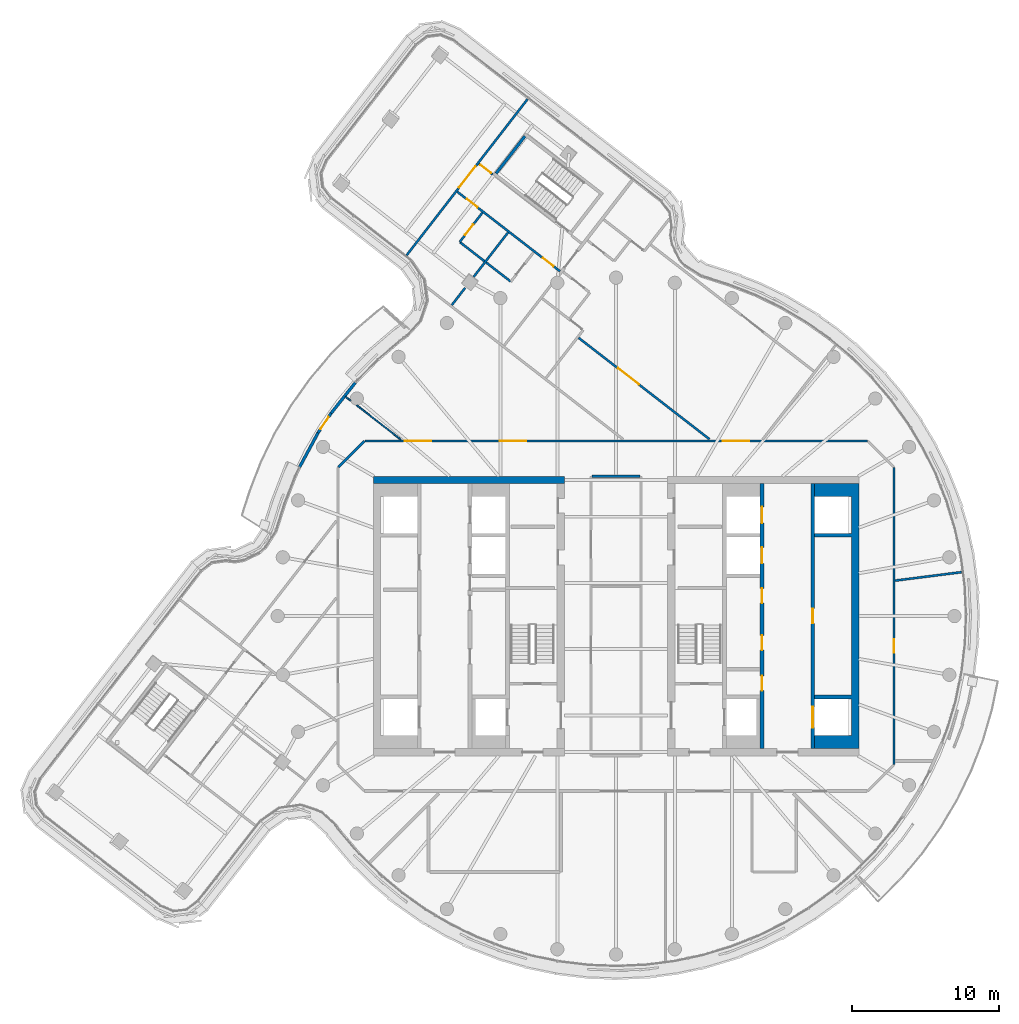
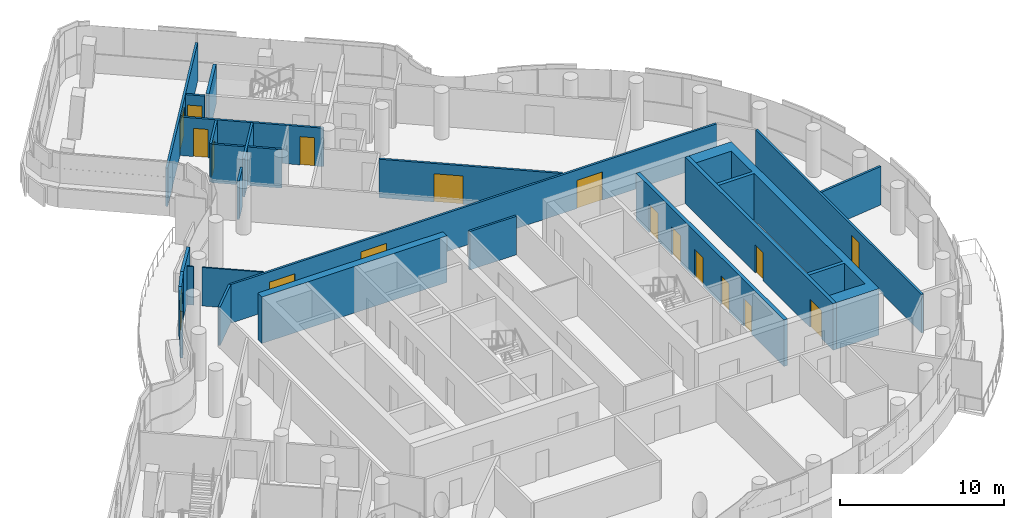
# One storey, part 19 of 26: 23 walls, 18 doors, 18 openings.
"""IFC4 building model written with IfcOpenShell, lengths in metres."""

import ifcopenshell
import ifcopenshell.guid

model = None  # the IFC model being written
_history = None  # IfcOwnerHistory: only IFC2X3 demands one
_inside = {}  # id of a spatial element -> (the spatial element, [elements in it])
_under = {}  # id of a project, library or spatial element -> (it, [spatial elements below it])
_declared = {}  # id of a project -> (the project, [libraries it declares])
_typed = {}  # id of a type object -> (the type object, [elements of that type])
_made_of = {}  # id of a material, layer set ... -> (it, [elements and type objects made of it])


def new_model(schema):
    """Start an empty IFC model of exactly this schema.

    Asked for "IFC4X3", IfcOpenShell would pick the latest addendum, in which some entities
    have other attributes; the version numbers below select the first issue.
    IFC2X3 requires an IfcOwnerHistory on every rooted entity: one is made here for all.
    """
    global model, _history
    if schema == "IFC4X3":
        model = ifcopenshell.file(schema_version=(4, 3, 0, 0))
    else:
        model = ifcopenshell.file(schema=schema)
    _inside.clear()
    _under.clear()
    _declared.clear()
    _typed.clear()
    _made_of.clear()
    _history = None
    if model.schema == "IFC2X3":
        org = make("IfcOrganization", Name="unknown")
        user = make(
            "IfcPersonAndOrganization",
            ThePerson=make("IfcPerson", FamilyName="unknown"),
            TheOrganization=org,
        )
        app = make(
            "IfcApplication",
            ApplicationDeveloper=org,
            Version="unknown",
            ApplicationFullName="unknown",
            ApplicationIdentifier="unknown",
        )
        _history = make(
            "IfcOwnerHistory",
            OwningUser=user,
            OwningApplication=app,
            ChangeAction="ADDED",
            CreationDate=0,
        )
    return model


def make(cls, **values):
    """One entity of the class cls with the attributes given. An attribute that is None is left unset."""
    return model.create_entity(
        cls, **{name: value for name, value in values.items() if value is not None}
    )


def rooted(cls, **values):
    """An entity with a GlobalId (a new one), such as an element, a storey or a relation."""
    return make(cls, GlobalId=ifcopenshell.guid.new(), OwnerHistory=_history, **values)


def si_unit(unit_type, name, prefix=None):
    """IfcSIUnit, for example si_unit("LENGTHUNIT", "METRE", prefix="MILLI")."""
    return make("IfcSIUnit", UnitType=unit_type, Prefix=prefix, Name=name)


def assignment(units):
    """IfcUnitAssignment: the units of a project."""
    return None if units is None else make("IfcUnitAssignment", Units=units)


def point(xyz):
    """IfcCartesianPoint."""
    return None if xyz is None else make("IfcCartesianPoint", Coordinates=xyz)


def direction(xyz):
    """IfcDirection."""
    return None if xyz is None else make("IfcDirection", DirectionRatios=xyz)


def frame(location, z_axis=None, x_axis=None):
    """IfcAxis2Placement3D, a coordinate frame: its origin and axes. An axis left out is left unset."""
    return make(
        "IfcAxis2Placement3D",
        Location=point(location),
        Axis=direction(z_axis),
        RefDirection=direction(x_axis),
    )


def frame_2d(location, x_axis=None):
    """IfcAxis2Placement2D, a coordinate frame in the plane: its origin and x axis."""
    return make(
        "IfcAxis2Placement2D", Location=point(location), RefDirection=direction(x_axis)
    )


def origin():
    """The frame at (0, 0, 0) with its axes left unset."""
    return frame((0.0, 0.0, 0.0))


def place(relative_to, where):
    """IfcLocalPlacement: puts the frame where relative to a parent placement (None: the world)."""
    return make(
        "IfcLocalPlacement", PlacementRelTo=relative_to, RelativePlacement=where
    )


def context(
    kind, dimensions, precision=None, world=None, true_north=None, identifier=None
):
    """IfcGeometricRepresentationContext, for example the 3D "Model" context."""
    return make(
        "IfcGeometricRepresentationContext",
        ContextIdentifier=identifier,
        ContextType=kind,
        CoordinateSpaceDimension=dimensions,
        Precision=precision,
        WorldCoordinateSystem=world,
        TrueNorth=true_north,
    )


def subcontext(parent, identifier, kind, view, scale=None):
    """IfcGeometricRepresentationSubContext, for example "Body" below "Model"."""
    return make(
        "IfcGeometricRepresentationSubContext",
        ContextIdentifier=identifier,
        ContextType=kind,
        ParentContext=parent,
        TargetScale=scale,
        TargetView=view,
    )


def project(units=None, contexts=None):
    """IfcProject with its units and contexts."""
    return rooted(
        "IfcProject",
        Name="project",
        RepresentationContexts=contexts,
        UnitsInContext=assignment(units),
    )


def spatial(cls, under=None, at=None, **own):
    """A site, building, storey or space (cls), placed at a placement, below another one or the project."""
    s = rooted(cls, ObjectPlacement=at, **own)
    if under is not None:
        _under.setdefault(under.id(), (under, []))[1].append(s)
    return s


def polyline(points):
    """IfcPolyline through the points."""
    return make("IfcPolyline", Points=[point(p) for p in points])


def profile(cls, at=None, kind="AREA", **sizes):
    """A parametric profile (cls). Its sizes go by their IFC names, for example OverallWidth=200.0."""
    return make(cls, ProfileType=kind, Position=at, **sizes)


def rectangle(**sizes):
    """IfcRectangleProfileDef."""
    return profile("IfcRectangleProfileDef", **sizes)


def outline(outer, holes=None, kind="AREA"):
    """IfcArbitraryClosedProfileDef: a profile drawn as a closed curve; with holes, ...WithVoids."""
    if holes is None:
        return make("IfcArbitraryClosedProfileDef", ProfileType=kind, OuterCurve=outer)
    return make(
        "IfcArbitraryProfileDefWithVoids",
        ProfileType=kind,
        OuterCurve=outer,
        InnerCurves=holes,
    )


def extrude(swept, where, along, depth):
    """IfcExtrudedAreaSolid: the profile swept, set in the frame where, extruded along a direction by depth."""
    return make(
        "IfcExtrudedAreaSolid",
        SweptArea=swept,
        Position=where,
        ExtrudedDirection=direction(along),
        Depth=depth,
    )


def shape(context_of_items, identifier, shape_type, items):
    """IfcShapeRepresentation: the items that make up one representation, for example the "Body"."""
    return make(
        "IfcShapeRepresentation",
        ContextOfItems=context_of_items,
        RepresentationIdentifier=identifier,
        RepresentationType=shape_type,
        Items=items,
    )


def material(Name=None, Category=None):
    """IfcMaterial."""
    return make("IfcMaterial", Name=Name, Category=Category)


def layer(
    of_material, thickness, ventilated=None, Name=None, Category=None, Priority=None
):
    """IfcMaterialLayer: one layer of a wall or slab, of a material (None: an air gap)."""
    return make(
        "IfcMaterialLayer",
        Material=of_material,
        LayerThickness=thickness,
        IsVentilated=ventilated,
        Name=Name,
        Category=Category,
        Priority=Priority,
    )


def layer_set(layers, Name=None):
    """IfcMaterialLayerSet."""
    return make("IfcMaterialLayerSet", MaterialLayers=layers, LayerSetName=Name)


def made_of(thing, what):
    """Note that an element or type object is made of a material, layer set ...; save() writes the relation."""
    if what is not None:
        _made_of.setdefault(what.id(), (what, []))[1].append(thing)
    return thing


def type_object(cls, material=None, **own):
    """A type object (cls), such as IfcWallType, which elements share."""
    return made_of(rooted(cls, **own), material)


def element(
    cls,
    number,
    at=None,
    inside=None,
    cuts=None,
    type_object=None,
    material=None,
    context=None,
    identifier="Body",
    shape_type=None,
    held_by="IfcProductDefinitionShape",
    body=None,
    shapes=None,
    **own,
):
    """One element of the class cls, such as IfcWall. Its Tag is "e" and its number.

    at: its placement. inside: the storey or other place that contains it. cuts: it is an
    opening in that element (IfcRelVoidsElement). A single representation is given by context,
    identifier, shape_type and body (its items); several are given by shapes. held_by: the class
    of the entity that holds the representations. save() writes the other relations.
    """
    e = rooted(cls, Tag="e%d" % number, ObjectPlacement=at, **own)
    if body is not None:
        shapes = [shape(context, identifier, shape_type, body)]
    if shapes is not None:
        e.Representation = make(held_by, Representations=shapes)
    if inside is not None:
        _inside.setdefault(inside.id(), (inside, []))[1].append(e)
    if cuts is not None:
        rooted(
            "IfcRelVoidsElement", RelatingBuildingElement=cuts, RelatedOpeningElement=e
        )
    if type_object is not None:
        _typed.setdefault(type_object.id(), (type_object, []))[1].append(e)
    return made_of(e, material)


def fill(opening, filler):
    """IfcRelFillsElement: the door or window that sits in an opening."""
    return rooted(
        "IfcRelFillsElement",
        RelatingOpeningElement=opening,
        RelatedBuildingElement=filler,
    )


def aggregate(whole, parts):
    """IfcRelAggregates: a whole, such as a stair, and the parts it consists of."""
    return rooted("IfcRelAggregates", RelatingObject=whole, RelatedObjects=parts)


def save(model, path):
    """Write the relations noted so far, then the file.

    IfcRelAggregates (storeys below a building ...), IfcRelContainedInSpatialStructure (elements
    in a storey), IfcRelDefinesByType, IfcRelAssociatesMaterial and IfcRelDeclares: one each for
    every whole, place, type object, material and project.
    """
    for whole, parts in _under.values():
        aggregate(whole, parts)
    for where, things in _inside.values():
        rooted(
            "IfcRelContainedInSpatialStructure",
            RelatedElements=things,
            RelatingStructure=where,
        )
    for kind, things in _typed.values():
        rooted("IfcRelDefinesByType", RelatedObjects=things, RelatingType=kind)
    for what, things in _made_of.values():
        rooted("IfcRelAssociatesMaterial", RelatedObjects=things, RelatingMaterial=what)
    for by, libraries in _declared.values():
        rooted("IfcRelDeclares", RelatingContext=by, RelatedDefinitions=libraries)
    model.write(path)


model = new_model("IFC4")

# Units and contexts
model_context = context("Model", 3, precision=1e-05, world=origin(), true_north=direction((0.0, 1.0)))
body_context = subcontext(model_context, "Body", "Model", "MODEL_VIEW")
ifc_project = project(units=[si_unit("LENGTHUNIT", "METRE"), si_unit("AREAUNIT", "SQUARE_METRE"), si_unit("VOLUMEUNIT", "CUBIC_METRE"), si_unit("PLANEANGLEUNIT", "RADIAN"), si_unit("MASSUNIT", "GRAM", prefix="KILO")], contexts=[model_context])

# Site, building, storey
site_placement = place(None, origin())
site = spatial("IfcSite", under=ifc_project, at=site_placement, CompositionType="ELEMENT")
building_placement = place(site_placement, origin())
building = spatial("IfcBuilding", under=site, at=building_placement, Name="Tamarind Cross Interchange Tower", CompositionType="ELEMENT")
storey_placement = place(building_placement, frame((0.0, 0.0, 223.5)))
storey = spatial("IfcBuildingStorey", under=building, at=storey_placement, Name="L56", CompositionType="ELEMENT", Elevation=223.5)

# Walls
ifc_material_1 = material(Name="Concrete C40", Category="concrete")
ifc_layer_1 = layer(ifc_material_1, 0.199951171875)
ifc_layer_set_1 = layer_set([ifc_layer_1], Name="Concrete C40")
wall_type_1 = type_object("IfcWallType", Name="Balcony and garden door wall", PredefinedType="SOLIDWALL", material=ifc_layer_set_1)
for number, where, z_axis, x_axis, name in (
    (1, (-17.724365234375, 15.86474609375, 0.0), (0.0, 0.0, 1.0), (-0.620856316698, -0.783924380292, 0.0), "EXW-L56-06-D02L"),
    (2, (-20.255615234375, 12.45654296875, 0.0), (0.0, 0.0, 1.0), (-0.474747988303, -0.880121779984, 0.0), "EXW-L56-06-D02R"),
):
    element("IfcWall", number, at=place(storey_placement, frame(where, z_axis=z_axis, x_axis=x_axis)), inside=storey, type_object=wall_type_1, Name=name, PredefinedType="SOLIDWALL", context=body_context, shape_type="SweptSolid", body=[
        extrude(rectangle(XDim=2.64990234375, YDim=0.199951171875, at=frame_2d((1.324951171875, 0.0))), origin(), (0.0, 0.0, 1.0), 3.4599609375),
    ])

# Wall, opening, door
wall_1_placement = place(storey_placement, frame((-19.36962890625, 13.787353515625, 0.0), z_axis=(0.0, 0.0, 1.0), x_axis=(-0.554171485248, -0.832402525788, 0.0)))
wall_1 = element("IfcWall", 3, at=wall_1_placement, inside=storey, type_object=wall_type_1, Name="EXW-L56-06-D02", PredefinedType="SOLIDWALL", context=body_context, shape_type="SweptSolid", body=[
    extrude(rectangle(XDim=1.598876953125, YDim=0.199951171875, at=frame_2d((0.79931640625, 0.0))), origin(), (0.0, 0.0, 1.0), 3.4599609375),
])
opening_1_placement = place(wall_1_placement, frame((0.29931640625, 0.0, 0.0)))
opening_1 = element("IfcOpeningElement", 4, at=opening_1_placement, cuts=wall_1, Name="Opening D2", PredefinedType="OPENING", context=body_context, shape_type="SweptSolid", body=[
    extrude(rectangle(XDim=1.0, YDim=2.39990234375, at=frame_2d((0.5, 1.199951171875))), frame((0.0, 0.10986328125, 0.0), z_axis=(0.0, -1.0, 0.0), x_axis=(1.0, 0.0, 0.0)), (0.0, 0.0, 1.0), 0.219970703125),
])
ifc_material_2 = material(Name="Aluminium and toughened glass", Category="aluminium")
door_type_1 = type_object("IfcDoorType", Name="Balcony and garden door", OperationType="SINGLE_SWING_LEFT", PredefinedType="DOOR", material=ifc_material_2)
door_1_placement = place(opening_1_placement, origin())
door_1 = element("IfcDoor", 5, at=door_1_placement, inside=storey, type_object=door_type_1, Name="DOR-L56-06-02", OperationType="SINGLE_SWING_LEFT", OverallHeight=2.39990234375, OverallWidth=1.0, PredefinedType="DOOR", context=body_context, shape_type="SweptSolid", body=[
    extrude(rectangle(XDim=1.0, YDim=2.39990234375, at=frame_2d((0.5, 1.199951171875))), frame((0.0, 0.02490234375, 0.0), z_axis=(0.0, -1.0, 0.0), x_axis=(1.0, 0.0, 0.0)), (0.0, 0.0, 1.0), 0.050048828125),
])
fill(opening_1, door_1)

# Walls
ifc_material_3 = material(Name="Concrete C50", Category="concrete")
ifc_layer_2 = layer(ifc_material_3, 0.5)
ifc_layer_set_2 = layer_set([ifc_layer_2], Name="Concrete C50")
wall_type_2 = type_object("IfcWallType", Name="Core wall 500 mm Concrete C50", PredefinedType="SHEAR", material=ifc_layer_set_2)
wall_2_placement = place(storey_placement, frame((-16.5, 9.25, 0.0), z_axis=(0.0, 0.0, 1.0), x_axis=(1.0, 0.0, 0.0)))
element("IfcWall", 6, at=wall_2_placement, inside=storey, type_object=wall_type_2, Name="Core wall CWL-L56-W-NE", PredefinedType="SHEAR", context=body_context, shape_type="SweptSolid", body=[
    extrude(rectangle(XDim=13.0, YDim=0.5, at=frame_2d((6.5, 0.0))), origin(), (0.0, 0.0, 1.0), 3.4599609375),
])
wall_3_placement = place(storey_placement, origin())
element("IfcWall", 7, at=wall_3_placement, inside=storey, type_object=wall_type_2, Name="Core wall CWL-L56-E-A", PredefinedType="SHEAR", context=body_context, shape_type="SweptSolid", body=[
    extrude(outline(polyline([(13.5, -8.125), (13.5, -9.0), (16.0, -9.0), (16.5, -9.0), (16.5, 9.0), (16.0, 9.0), (13.5, 9.0), (13.5, 8.125), (16.0, 8.125), (16.0, 5.625), (13.5, 5.625), (13.5, 5.375), (16.0, 5.375), (16.0, -5.375), (13.5, -5.375), (13.5, -5.625), (16.0, -5.625), (16.0, -8.125), (13.5, -8.125)])), origin(), (0.0, 0.0, 1.0), 3.4599609375),
])

# Wall, openings, doors
ifc_layer_3 = layer(ifc_material_3, 0.25)
ifc_layer_set_3 = layer_set([ifc_layer_3], Name="Concrete C50")
wall_type_3 = type_object("IfcWallType", Name="Core web wall 250 mm Concrete C50", PredefinedType="SHEAR", material=ifc_layer_set_3)
wall_4_placement = place(storey_placement, frame((13.375, -9.0, 0.0), z_axis=(0.0, 0.0, 1.0), x_axis=(0.0, 1.0, 0.0)))
wall_4 = element("IfcWall", 8, at=wall_4_placement, inside=storey, type_object=wall_type_3, Name="Core wall CWL-L56-E-LA", PredefinedType="SHEAR", context=body_context, shape_type="SweptSolid", body=[
    extrude(rectangle(XDim=18.0, YDim=0.25, at=frame_2d((9.0, 0.0))), origin(), (0.0, 0.0, 1.0), 3.4599609375),
])
opening_2_placement = place(wall_4_placement, frame((1.425048828125, 0.0, 0.0)))
opening_2 = element("IfcOpeningElement", 9, at=opening_2_placement, cuts=wall_4, Name="Opening LD13L56", PredefinedType="OPENING", context=body_context, shape_type="SweptSolid", body=[
    extrude(rectangle(XDim=1.39990234375, YDim=2.10009765625, at=frame_2d((0.699951171875, 1.050048828125))), frame((0.0, 0.135009765625, 0.0), z_axis=(0.0, -1.0, 0.0), x_axis=(1.0, 0.0, 0.0)), (0.0, 0.0, 1.0), 0.27001953125),
])
opening_3_placement = place(wall_4_placement, frame((8.5, 0.0, 0.0)))
opening_3 = element("IfcOpeningElement", 10, at=opening_3_placement, cuts=wall_4, Name="Opening DCE9", PredefinedType="OPENING", context=body_context, shape_type="SweptSolid", body=[
    extrude(rectangle(XDim=1.0, YDim=2.10009765625, at=frame_2d((0.5, 1.050048828125))), frame((0.0, 0.135009765625, 0.0), z_axis=(0.0, -1.0, 0.0), x_axis=(1.0, 0.0, 0.0)), (0.0, 0.0, 1.0), 0.27001953125),
])
ifc_material_4 = material(Name="Steel, fire-resisting", Category="steel")
door_type_2 = type_object("IfcDoorType", Name="Core fire door 1000 x 2100 FD90", OperationType="SINGLE_SWING_LEFT", PredefinedType="DOOR", material=ifc_material_4)
door_2_placement = place(opening_3_placement, origin())
door_2 = element("IfcDoor", 11, at=door_2_placement, inside=storey, type_object=door_type_2, Name="L56 Housekeeping pantry door", OperationType="SINGLE_SWING_LEFT", OverallHeight=2.10009765625, OverallWidth=1.0, PredefinedType="DOOR", context=body_context, shape_type="SweptSolid", body=[
    extrude(rectangle(XDim=1.0, YDim=2.10009765625, at=frame_2d((0.5, 1.050048828125))), frame((0.0, 0.02490234375, 0.0), z_axis=(0.0, -1.0, 0.0), x_axis=(1.0, 0.0, 0.0)), (0.0, 0.0, 1.0), 0.050048828125),
])
fill(opening_3, door_2)
ifc_material_5 = material(Name="Stainless steel panel", Category="steel")
door_type_3 = type_object("IfcDoorType", Name="Lift landing door 1400 x 2100 E 120", OperationType="SLIDING_TO_LEFT", PredefinedType="DOOR", material=ifc_material_5)
door_3_placement = place(opening_2_placement, origin())
door_3 = element("IfcDoor", 12, at=door_3_placement, inside=storey, type_object=door_type_3, Name="L56 landing door LF13", OperationType="SLIDING_TO_LEFT", OverallHeight=2.10009765625, OverallWidth=1.39990234375, PredefinedType="DOOR", context=body_context, shape_type="SweptSolid", body=[
    extrude(rectangle(XDim=1.39990234375, YDim=2.10009765625, at=frame_2d((0.699951171875, 1.050048828125))), frame((0.0, 0.02490234375, 0.0), z_axis=(0.0, -1.0, 0.0), x_axis=(1.0, 0.0, 0.0)), (0.0, 0.0, 1.0), 0.050048828125),
])
fill(opening_2, door_3)

wall_5_placement = place(storey_placement, frame((9.925048828125, -9.0, 0.0), z_axis=(0.0, 0.0, 1.0), x_axis=(0.0, 1.0, 0.0)))
wall_5 = element("IfcWall", 13, at=wall_5_placement, inside=storey, type_object=wall_type_3, Name="Core wall CWL-L56-E-LB", PredefinedType="SHEAR", context=body_context, shape_type="SweptSolid", body=[
    extrude(rectangle(XDim=18.0, YDim=0.25, at=frame_2d((9.0, 0.0))), origin(), (0.0, 0.0, 1.0), 3.4599609375),
])
opening_4_placement = place(wall_5_placement, frame((12.574951171875, 0.0, 0.0)))
opening_4 = element("IfcOpeningElement", 14, at=opening_4_placement, cuts=wall_5, Name="Opening LD23L56", PredefinedType="OPENING", context=body_context, shape_type="SweptSolid", body=[
    extrude(rectangle(XDim=1.10009765625, YDim=2.10009765625, at=frame_2d((0.550048828125, 1.050048828125))), frame((0.0, 0.135009765625, 0.0), z_axis=(0.0, -1.0, 0.0), x_axis=(1.0, 0.0, 0.0)), (0.0, 0.0, 1.0), 0.27001953125),
])
opening_5_placement = place(wall_5_placement, frame((15.324951171875, 0.0, 0.0)))
opening_5 = element("IfcOpeningElement", 15, at=opening_5_placement, cuts=wall_5, Name="Opening LD24L56", PredefinedType="OPENING", context=body_context, shape_type="SweptSolid", body=[
    extrude(rectangle(XDim=1.10009765625, YDim=2.10009765625, at=frame_2d((0.550048828125, 1.050048828125))), frame((0.0, 0.135009765625, 0.0), z_axis=(0.0, -1.0, 0.0), x_axis=(1.0, 0.0, 0.0)), (0.0, 0.0, 1.0), 0.27001953125),
])
opening_6_placement = place(wall_5_placement, frame((3.9375, 0.0, 0.0)))
opening_6 = element("IfcOpeningElement", 16, at=opening_6_placement, cuts=wall_5, Name="Opening DCE21", PredefinedType="OPENING", context=body_context, shape_type="SweptSolid", body=[
    extrude(rectangle(XDim=1.0, YDim=2.10009765625, at=frame_2d((0.5, 1.050048828125))), frame((0.0, 0.135009765625, 0.0), z_axis=(0.0, -1.0, 0.0), x_axis=(1.0, 0.0, 0.0)), (0.0, 0.0, 1.0), 0.27001953125),
])
opening_7_placement = place(wall_5_placement, frame((6.6875, 0.0, 0.0)))
opening_7 = element("IfcOpeningElement", 17, at=opening_7_placement, cuts=wall_5, Name="Opening DCE22", PredefinedType="OPENING", context=body_context, shape_type="SweptSolid", body=[
    extrude(rectangle(XDim=1.0, YDim=2.10009765625, at=frame_2d((0.5, 1.050048828125))), frame((0.0, 0.135009765625, 0.0), z_axis=(0.0, -1.0, 0.0), x_axis=(1.0, 0.0, 0.0)), (0.0, 0.0, 1.0), 0.27001953125),
])
opening_8_placement = place(wall_5_placement, frame((9.875, 0.0, 0.0)))
opening_8 = element("IfcOpeningElement", 18, at=opening_8_placement, cuts=wall_5, Name="Opening DCE21", PredefinedType="OPENING", context=body_context, shape_type="SweptSolid", body=[
    extrude(rectangle(XDim=1.0, YDim=2.10009765625, at=frame_2d((0.5, 1.050048828125))), frame((0.0, 0.135009765625, 0.0), z_axis=(0.0, -1.0, 0.0), x_axis=(1.0, 0.0, 0.0)), (0.0, 0.0, 1.0), 0.27001953125),
])
door_4_placement = place(opening_6_placement, origin())
door_4 = element("IfcDoor", 19, at=door_4_placement, inside=storey, type_object=door_type_2, Name="L56 Linen press door", OperationType="SINGLE_SWING_LEFT", OverallHeight=2.10009765625, OverallWidth=1.0, PredefinedType="DOOR", context=body_context, shape_type="SweptSolid", body=[
    extrude(rectangle(XDim=1.0, YDim=2.10009765625, at=frame_2d((0.5, 1.050048828125))), frame((0.0, 0.02490234375, 0.0), z_axis=(0.0, -1.0, 0.0), x_axis=(1.0, 0.0, 0.0)), (0.0, 0.0, 1.0), 0.050048828125),
])
fill(opening_6, door_4)
door_5_placement = place(opening_7_placement, origin())
door_5 = element("IfcDoor", 20, at=door_5_placement, inside=storey, type_object=door_type_2, Name="L56 Hotel pantry door", OperationType="SINGLE_SWING_LEFT", OverallHeight=2.10009765625, OverallWidth=1.0, PredefinedType="DOOR", context=body_context, shape_type="SweptSolid", body=[
    extrude(rectangle(XDim=1.0, YDim=2.10009765625, at=frame_2d((0.5, 1.050048828125))), frame((0.0, 0.02490234375, 0.0), z_axis=(0.0, -1.0, 0.0), x_axis=(1.0, 0.0, 0.0)), (0.0, 0.0, 1.0), 0.050048828125),
])
fill(opening_7, door_5)
door_6_placement = place(opening_8_placement, origin())
door_6 = element("IfcDoor", 21, at=door_6_placement, inside=storey, type_object=door_type_2, Name="L56 Linen press door", OperationType="SINGLE_SWING_LEFT", OverallHeight=2.10009765625, OverallWidth=1.0, PredefinedType="DOOR", context=body_context, shape_type="SweptSolid", body=[
    extrude(rectangle(XDim=1.0, YDim=2.10009765625, at=frame_2d((0.5, 1.050048828125))), frame((0.0, 0.02490234375, 0.0), z_axis=(0.0, -1.0, 0.0), x_axis=(1.0, 0.0, 0.0)), (0.0, 0.0, 1.0), 0.050048828125),
])
fill(opening_8, door_6)
door_type_4 = type_object("IfcDoorType", Name="Lift landing door 1100 x 2100 E 120", OperationType="SLIDING_TO_LEFT", PredefinedType="DOOR", material=ifc_material_5)
door_7_placement = place(opening_4_placement, origin())
door_7 = element("IfcDoor", 22, at=door_7_placement, inside=storey, type_object=door_type_4, Name="L56 landing door LF23", OperationType="SLIDING_TO_LEFT", OverallHeight=2.10009765625, OverallWidth=1.10009765625, PredefinedType="DOOR", context=body_context, shape_type="SweptSolid", body=[
    extrude(rectangle(XDim=1.10009765625, YDim=2.10009765625, at=frame_2d((0.550048828125, 1.050048828125))), frame((0.0, 0.02490234375, 0.0), z_axis=(0.0, -1.0, 0.0), x_axis=(1.0, 0.0, 0.0)), (0.0, 0.0, 1.0), 0.050048828125),
])
fill(opening_4, door_7)
door_8_placement = place(opening_5_placement, origin())
door_8 = element("IfcDoor", 23, at=door_8_placement, inside=storey, type_object=door_type_4, Name="L56 landing door LF24", OperationType="SLIDING_TO_LEFT", OverallHeight=2.10009765625, OverallWidth=1.10009765625, PredefinedType="DOOR", context=body_context, shape_type="SweptSolid", body=[
    extrude(rectangle(XDim=1.10009765625, YDim=2.10009765625, at=frame_2d((0.550048828125, 1.050048828125))), frame((0.0, 0.02490234375, 0.0), z_axis=(0.0, -1.0, 0.0), x_axis=(1.0, 0.0, 0.0)), (0.0, 0.0, 1.0), 0.050048828125),
])
fill(opening_5, door_8)

# Walls
ifc_material_6 = material(Name="Gypsum board partition on steel studs", Category="steel")
ifc_layer_4 = layer(ifc_material_6, 0.10009765625)
ifc_layer_set_4 = layer_set([ifc_layer_4], Name="Gypsum board partition on steel studs")
wall_type_4 = type_object("IfcWallType", Name="Partition 100 mm EI 120", PredefinedType="PARTITIONING", material=ifc_layer_set_4)
wall_6_placement = place(storey_placement, frame((-17.636474609375, 14.328857421875, 0.0), z_axis=(0.0, 0.0, 1.0), x_axis=(0.790578641308, -0.612360524452, 0.0)))
element("IfcWall", 24, at=wall_6_placement, inside=storey, type_object=wall_type_4, Name="Partition L56-011", PredefinedType="PARTITIONING", context=body_context, shape_type="SweptSolid", body=[
    extrude(rectangle(XDim=3.81103515625, YDim=0.10009765625, at=frame_2d((1.905517578125, 0.0))), origin(), (0.0, 0.0, 1.0), 2.864013671875),
])
ifc_layer_5 = layer(ifc_material_6, 0.10009765625)
ifc_layer_set_5 = layer_set([ifc_layer_5], Name="Gypsum board partition on steel studs")
wall_type_5 = type_object("IfcWallType", Name="Partition 100 mm EI 90", PredefinedType="PARTITIONING", material=ifc_layer_set_5)
wall_7_placement = place(storey_placement, frame((-18.39111328125, 14.913330078125, 0.0), z_axis=(0.0, 0.0, 1.0), x_axis=(0.79050846248, -0.612451117026, 0.0)))
element("IfcWall", 25, at=wall_7_placement, inside=storey, type_object=wall_type_5, Name="Partition L56-010", PredefinedType="PARTITIONING", context=body_context, shape_type="SweptSolid", body=[
    extrude(rectangle(XDim=0.44287109375, YDim=0.10009765625, at=frame_2d((0.221435546875, 0.0))), origin(), (0.0, 0.0, 1.0), 2.864013671875),
])

# Wall, openings, doors
ifc_layer_6 = layer(ifc_material_6, 0.14990234375)
ifc_layer_set_6 = layer_set([ifc_layer_6], Name="Gypsum board partition on steel studs")
wall_type_6 = type_object("IfcWallType", Name="Partition 150 mm EI 120", PredefinedType="PARTITIONING", material=ifc_layer_set_6)
wall_8_placement = place(storey_placement, frame((-10.790771484375, 28.840087890625, 0.0), z_axis=(0.0, 0.0, 1.0), x_axis=(0.790613040496, -0.612316111333, 0.0)))
wall_8 = element("IfcWall", 26, at=wall_8_placement, inside=storey, type_object=wall_type_6, Name="Partition L56-013", PredefinedType="PARTITIONING", context=body_context, shape_type="SweptSolid", body=[
    extrude(rectangle(XDim=8.819580078125, YDim=0.14990234375, at=frame_2d((4.40966796875, 0.0))), origin(), (0.0, 0.0, 1.0), 2.864013671875),
])
opening_9_placement = place(wall_8_placement, frame((7.36962890625, 0.0, 0.0)))
opening_9 = element("IfcOpeningElement", 27, at=opening_9_placement, cuts=wall_8, Name="Opening D03", PredefinedType="OPENING", context=body_context, shape_type="SweptSolid", body=[
    extrude(rectangle(XDim=0.89990234375, YDim=2.10009765625, at=frame_2d((0.449951171875, 1.050048828125))), frame((0.0, 0.0849609375, 0.0), z_axis=(0.0, -1.0, 0.0), x_axis=(1.0, 0.0, 0.0)), (0.0, 0.0, 1.0), 0.169921875),
])
opening_10_placement = place(wall_8_placement, frame((0.820068359375, 0.0, 0.0)))
opening_10 = element("IfcOpeningElement", 28, at=opening_10_placement, cuts=wall_8, Name="Opening D04", PredefinedType="OPENING", context=body_context, shape_type="SweptSolid", body=[
    extrude(rectangle(XDim=0.89990234375, YDim=2.10009765625, at=frame_2d((0.449951171875, 1.050048828125))), frame((0.0, 0.0849609375, 0.0), z_axis=(0.0, -1.0, 0.0), x_axis=(1.0, 0.0, 0.0)), (0.0, 0.0, 1.0), 0.169921875),
])
ifc_material_7 = material(Name="Fire-resisting door set")
door_type_5 = type_object("IfcDoorType", Name="Interior door 900 x 2100 FD60S", OperationType="SINGLE_SWING_LEFT", PredefinedType="DOOR", material=ifc_material_7)
door_9_placement = place(opening_9_placement, frame((0.89990234375, 0.0, 0.0), z_axis=(0.0, 0.0, 1.0), x_axis=(-1.0, 0.0, 0.0)))
door_9 = element("IfcDoor", 29, at=door_9_placement, inside=storey, type_object=door_type_5, Name="Door D03", OperationType="SINGLE_SWING_RIGHT", OverallHeight=2.10009765625, OverallWidth=0.89990234375, PredefinedType="DOOR", context=body_context, shape_type="SweptSolid", body=[
    extrude(rectangle(XDim=0.89990234375, YDim=2.10009765625, at=frame_2d((0.449951171875, 1.050048828125))), frame((0.0, 0.02490234375, 0.0), z_axis=(0.0, -1.0, 0.0), x_axis=(1.0, 0.0, 0.0)), (0.0, 0.0, 1.0), 0.050048828125),
])
fill(opening_9, door_9)
door_10_placement = place(opening_10_placement, frame((0.89990234375, 0.0, 0.0), z_axis=(0.0, 0.0, 1.0), x_axis=(-1.0, 0.0, 0.0)))
door_10 = element("IfcDoor", 30, at=door_10_placement, inside=storey, type_object=door_type_5, Name="Door D04", OperationType="SINGLE_SWING_LEFT", OverallHeight=2.10009765625, OverallWidth=0.89990234375, PredefinedType="DOOR", context=body_context, shape_type="SweptSolid", body=[
    extrude(rectangle(XDim=0.89990234375, YDim=2.10009765625, at=frame_2d((0.449951171875, 1.050048828125))), frame((0.0, 0.02490234375, 0.0), z_axis=(0.0, -1.0, 0.0), x_axis=(1.0, 0.0, 0.0)), (0.0, 0.0, 1.0), 0.050048828125),
])
fill(opening_10, door_10)

# Wall
wall_9_placement = place(storey_placement, frame((-10.6123046875, 25.413818359375, 0.0), z_axis=(0.0, 0.0, 1.0), x_axis=(0.790364214812, -0.612637256412, 0.0)))
element("IfcWall", 31, at=wall_9_placement, inside=storey, type_object=wall_type_6, Name="Partition L56-014", PredefinedType="PARTITIONING", context=body_context, shape_type="SweptSolid", body=[
    extrude(rectangle(XDim=4.360107421875, YDim=0.14990234375, at=frame_2d((2.18017578125, 0.0))), origin(), (0.0, 0.0, 1.0), 2.864013671875),
])

# Wall, opening, door
wall_10_placement = place(storey_placement, frame((-9.32177734375, 30.738037109375, 0.0), z_axis=(0.0, 0.0, 1.0), x_axis=(0.790620333451, -0.612306694667, 0.0)))
wall_10 = element("IfcWall", 32, at=wall_10_placement, inside=storey, type_object=wall_type_6, Name="Partition L56-015", PredefinedType="PARTITIONING", context=body_context, shape_type="SweptSolid", body=[
    extrude(rectangle(XDim=1.18017578125, YDim=0.14990234375, at=frame_2d((0.590087890625, 0.0))), origin(), (0.0, 0.0, 1.0), 2.864013671875),
])
opening_11_placement = place(wall_10_placement, frame((0.13037109375, 0.0, 0.0)))
opening_11 = element("IfcOpeningElement", 33, at=opening_11_placement, cuts=wall_10, Name="Opening D05", PredefinedType="OPENING", context=body_context, shape_type="SweptSolid", body=[
    extrude(rectangle(XDim=0.89990234375, YDim=2.10009765625, at=frame_2d((0.449951171875, 1.050048828125))), frame((0.0, 0.0849609375, 0.0), z_axis=(0.0, -1.0, 0.0), x_axis=(1.0, 0.0, 0.0)), (0.0, 0.0, 1.0), 0.169921875),
])
door_11_placement = place(opening_11_placement, origin())
door_11 = element("IfcDoor", 34, at=door_11_placement, inside=storey, type_object=door_type_5, Name="Door D05", OperationType="SINGLE_SWING_RIGHT", OverallHeight=2.10009765625, OverallWidth=0.89990234375, PredefinedType="DOOR", context=body_context, shape_type="SweptSolid", body=[
    extrude(rectangle(XDim=0.89990234375, YDim=2.10009765625, at=frame_2d((0.449951171875, 1.050048828125))), frame((0.0, 0.02490234375, 0.0), z_axis=(0.0, -1.0, 0.0), x_axis=(1.0, 0.0, 0.0)), (0.0, 0.0, 1.0), 0.050048828125),
])
fill(opening_11, door_11)

wall_11_placement = place(storey_placement, frame((-2.543701171875, 18.910888671875, 0.0), z_axis=(0.0, 0.0, 1.0), x_axis=(0.790555726882, -0.612390106626, 0.0)))
wall_11 = element("IfcWall", 35, at=wall_11_placement, inside=storey, type_object=wall_type_6, Name="Partition L56-019", PredefinedType="PARTITIONING", context=body_context, shape_type="SweptSolid", body=[
    extrude(rectangle(XDim=11.25830078125, YDim=0.14990234375, at=frame_2d((5.629150390625, 0.0))), origin(), (0.0, 0.0, 1.0), 2.864013671875),
])
opening_12_placement = place(wall_11_placement, frame((3.3701171875, 0.0, 0.0)))
opening_12 = element("IfcOpeningElement", 36, at=opening_12_placement, cuts=wall_11, Name="Opening D08", PredefinedType="OPENING", context=body_context, shape_type="SweptSolid", body=[
    extrude(rectangle(XDim=1.800048828125, YDim=2.10009765625, at=frame_2d((0.89990234375, 1.050048828125))), frame((0.0, 0.0849609375, 0.0), z_axis=(0.0, -1.0, 0.0), x_axis=(1.0, 0.0, 0.0)), (0.0, 0.0, 1.0), 0.169921875),
])
door_type_6 = type_object("IfcDoorType", Name="Interior door 1800 x 2100 FD60S", OperationType="DOUBLE_DOOR_SINGLE_SWING", PredefinedType="DOOR", material=ifc_material_7)
door_12_placement = place(opening_12_placement, frame((1.800048828125, 0.0, 0.0), z_axis=(0.0, 0.0, 1.0), x_axis=(-1.0, 0.0, 0.0)))
door_12 = element("IfcDoor", 37, at=door_12_placement, inside=storey, type_object=door_type_6, Name="Door D08", OperationType="DOUBLE_DOOR_SINGLE_SWING", OverallHeight=2.10009765625, OverallWidth=1.800048828125, PredefinedType="DOOR", context=body_context, shape_type="SweptSolid", body=[
    extrude(rectangle(XDim=1.800048828125, YDim=2.10009765625, at=frame_2d((0.89990234375, 1.050048828125))), frame((0.0, 0.02490234375, 0.0), z_axis=(0.0, -1.0, 0.0), x_axis=(1.0, 0.0, 0.0)), (0.0, 0.0, 1.0), 0.050048828125),
])
fill(opening_12, door_12)

# Wall, openings, doors
wall_12_placement = place(storey_placement, frame((-17.06494140625, 11.89990234375, 0.0), z_axis=(0.0, 0.0, 1.0), x_axis=(1.0, 0.0, 0.0)))
wall_12 = element("IfcWall", 38, at=wall_12_placement, inside=storey, type_object=wall_type_6, Name="Partition L56-024", PredefinedType="PARTITIONING", context=body_context, shape_type="SweptSolid", body=[
    extrude(rectangle(XDim=34.1650390625, YDim=0.14990234375, at=frame_2d((17.08251953125, 0.0))), origin(), (0.0, 0.0, 1.0), 2.864013671875),
])
opening_13_placement = place(wall_12_placement, frame((24.322021484375, 0.0, 0.0)))
opening_13 = element("IfcOpeningElement", 39, at=opening_13_placement, cuts=wall_12, Name="Opening D18", PredefinedType="OPENING", context=body_context, shape_type="SweptSolid", body=[
    extrude(rectangle(XDim=1.800048828125, YDim=2.10009765625, at=frame_2d((0.89990234375, 1.050048828125))), frame((0.0, 0.0849609375, 0.0), z_axis=(0.0, -1.0, 0.0), x_axis=(1.0, 0.0, 0.0)), (0.0, 0.0, 1.0), 0.169921875),
])
opening_14_placement = place(wall_12_placement, frame((9.1640625, 0.0, 0.0)))
opening_14 = element("IfcOpeningElement", 40, at=opening_14_placement, cuts=wall_12, Name="Opening D19", PredefinedType="OPENING", context=body_context, shape_type="SweptSolid", body=[
    extrude(rectangle(XDim=1.800048828125, YDim=2.10009765625, at=frame_2d((0.89990234375, 1.050048828125))), frame((0.0, 0.0849609375, 0.0), z_axis=(0.0, -1.0, 0.0), x_axis=(1.0, 0.0, 0.0)), (0.0, 0.0, 1.0), 0.169921875),
])
opening_15_placement = place(wall_12_placement, frame((2.714111328125, 0.0, 0.0)))
opening_15 = element("IfcOpeningElement", 41, at=opening_15_placement, cuts=wall_12, Name="Opening D20", PredefinedType="OPENING", context=body_context, shape_type="SweptSolid", body=[
    extrude(rectangle(XDim=1.800048828125, YDim=2.10009765625, at=frame_2d((0.89990234375, 1.050048828125))), frame((0.0, 0.0849609375, 0.0), z_axis=(0.0, -1.0, 0.0), x_axis=(1.0, 0.0, 0.0)), (0.0, 0.0, 1.0), 0.169921875),
])
door_13_placement = place(opening_13_placement, frame((1.800048828125, 0.0, 0.0), z_axis=(0.0, 0.0, 1.0), x_axis=(-1.0, 0.0, 0.0)))
door_13 = element("IfcDoor", 42, at=door_13_placement, inside=storey, type_object=door_type_6, Name="Door D18", OperationType="DOUBLE_DOOR_SINGLE_SWING", OverallHeight=2.10009765625, OverallWidth=1.800048828125, PredefinedType="DOOR", context=body_context, shape_type="SweptSolid", body=[
    extrude(rectangle(XDim=1.800048828125, YDim=2.10009765625, at=frame_2d((0.89990234375, 1.050048828125))), frame((0.0, 0.02490234375, 0.0), z_axis=(0.0, -1.0, 0.0), x_axis=(1.0, 0.0, 0.0)), (0.0, 0.0, 1.0), 0.050048828125),
])
fill(opening_13, door_13)
door_14_placement = place(opening_14_placement, origin())
door_14 = element("IfcDoor", 43, at=door_14_placement, inside=storey, type_object=door_type_6, Name="Door D19", OperationType="DOUBLE_DOOR_SINGLE_SWING", OverallHeight=2.10009765625, OverallWidth=1.800048828125, PredefinedType="DOOR", context=body_context, shape_type="SweptSolid", body=[
    extrude(rectangle(XDim=1.800048828125, YDim=2.10009765625, at=frame_2d((0.89990234375, 1.050048828125))), frame((0.0, 0.02490234375, 0.0), z_axis=(0.0, -1.0, 0.0), x_axis=(1.0, 0.0, 0.0)), (0.0, 0.0, 1.0), 0.050048828125),
])
fill(opening_14, door_14)
door_15_placement = place(opening_15_placement, origin())
door_15 = element("IfcDoor", 44, at=door_15_placement, inside=storey, type_object=door_type_6, Name="Door D20", OperationType="DOUBLE_DOOR_SINGLE_SWING", OverallHeight=2.10009765625, OverallWidth=1.800048828125, PredefinedType="DOOR", context=body_context, shape_type="SweptSolid", body=[
    extrude(rectangle(XDim=1.800048828125, YDim=2.10009765625, at=frame_2d((0.89990234375, 1.050048828125))), frame((0.0, 0.02490234375, 0.0), z_axis=(0.0, -1.0, 0.0), x_axis=(1.0, 0.0, 0.0)), (0.0, 0.0, 1.0), 0.050048828125),
])
fill(opening_15, door_15)

# Walls
wall_13_placement = place(storey_placement, frame((-1.639892578125, 9.5, 0.0), z_axis=(0.0, 0.0, 1.0), x_axis=(1.0, 0.0, 0.0)))
element("IfcWall", 45, at=wall_13_placement, inside=storey, type_object=wall_type_6, Name="Partition L56-029", PredefinedType="PARTITIONING", context=body_context, shape_type="SweptSolid", body=[
    extrude(rectangle(XDim=3.27978515625, YDim=0.14990234375, at=frame_2d((1.639892578125, 0.0))), origin(), (0.0, 0.0, 1.0), 2.864013671875),
])
wall_14_placement = place(storey_placement, frame((18.964599609375, 2.4091796875, 0.0), z_axis=(0.0, 0.0, 1.0), x_axis=(0.992016930674, 0.126104755093, 0.0)))
element("IfcWall", 46, at=wall_14_placement, inside=storey, type_object=wall_type_6, Name="Partition L56-031", PredefinedType="PARTITIONING", context=body_context, shape_type="SweptSolid", body=[
    extrude(rectangle(XDim=4.557373046875, YDim=0.14990234375, at=frame_2d((2.27880859375, 0.0))), origin(), (0.0, 0.0, 1.0), 2.864013671875),
])
wall_15_placement = place(storey_placement, frame((-18.87158203125, 10.12841796875, 0.0), z_axis=(0.0, 0.0, 1.0), x_axis=(0.707106781187, 0.707106781187, 0.0)))
element("IfcWall", 47, at=wall_15_placement, inside=storey, type_object=wall_type_6, Name="Partition L56-032", PredefinedType="PARTITIONING", context=body_context, shape_type="SweptSolid", body=[
    extrude(rectangle(XDim=2.50537109375, YDim=0.14990234375, at=frame_2d((1.252685546875, 0.0))), origin(), (0.0, 0.0, 1.0), 2.864013671875),
])

# Wall, opening, door
wall_16_placement = place(storey_placement, frame((-14.237060546875, 24.522216796875, 0.0), z_axis=(0.0, 0.0, 1.0), x_axis=(0.612428480312, 0.79052599989, 0.0)))
wall_16 = element("IfcWall", 48, at=wall_16_placement, inside=storey, type_object=wall_type_6, Name="Partition L56-040", PredefinedType="PARTITIONING", context=body_context, shape_type="SweptSolid", body=[
    extrude(rectangle(XDim=13.423095703125, YDim=0.14990234375, at=frame_2d((6.71142578125, 0.0))), origin(), (0.0, 0.0, 1.0), 2.864013671875),
])
opening_16_placement = place(wall_16_placement, frame((5.823974609375, 0.0, 0.0)))
opening_16 = element("IfcOpeningElement", 49, at=opening_16_placement, cuts=wall_16, Name="Opening D25", PredefinedType="OPENING", context=body_context, shape_type="SweptSolid", body=[
    extrude(rectangle(XDim=1.800048828125, YDim=2.10009765625, at=frame_2d((0.89990234375, 1.050048828125))), frame((0.0, 0.0849609375, 0.0), z_axis=(0.0, -1.0, 0.0), x_axis=(1.0, 0.0, 0.0)), (0.0, 0.0, 1.0), 0.169921875),
])
door_16_placement = place(opening_16_placement, origin())
door_16 = element("IfcDoor", 50, at=door_16_placement, inside=storey, type_object=door_type_6, Name="Door D25", OperationType="DOUBLE_DOOR_SINGLE_SWING", OverallHeight=2.10009765625, OverallWidth=1.800048828125, PredefinedType="DOOR", context=body_context, shape_type="SweptSolid", body=[
    extrude(rectangle(XDim=1.800048828125, YDim=2.10009765625, at=frame_2d((0.89990234375, 1.050048828125))), frame((0.0, 0.02490234375, 0.0), z_axis=(0.0, -1.0, 0.0), x_axis=(1.0, 0.0, 0.0)), (0.0, 0.0, 1.0), 0.050048828125),
])
fill(opening_16, door_16)

# Walls
wall_17_placement = place(storey_placement, frame((-11.1669921875, 21.13720703125, 0.0), z_axis=(0.0, 0.0, 1.0), x_axis=(0.612380249915, 0.790563362112, 0.0)))
element("IfcWall", 51, at=wall_17_placement, inside=storey, type_object=wall_type_6, Name="Partition L56-041", PredefinedType="PARTITIONING", context=body_context, shape_type="SweptSolid", body=[
    extrude(rectangle(XDim=1.474365234375, YDim=0.14990234375, at=frame_2d((0.7373046875, 0.0))), origin(), (0.0, 0.0, 1.0), 2.864013671875),
])
wall_18_placement = place(storey_placement, frame((-9.6796875, 23.05712890625, 0.0), z_axis=(0.0, 0.0, 1.0), x_axis=(0.612369549525, 0.790571650652, 0.0)))
element("IfcWall", 52, at=wall_18_placement, inside=storey, type_object=wall_type_6, Name="Partition L56-042", PredefinedType="PARTITIONING", context=body_context, shape_type="SweptSolid", body=[
    extrude(rectangle(XDim=3.811279296875, YDim=0.14990234375, at=frame_2d((1.90576171875, 0.0))), origin(), (0.0, 0.0, 1.0), 2.864013671875),
])

# Wall, opening, door
wall_19_placement = place(storey_placement, frame((-10.6279296875, 25.426025390625, 0.0), z_axis=(0.0, 0.0, 1.0), x_axis=(0.61242333075, 0.790529989281, 0.0)))
wall_19 = element("IfcWall", 53, at=wall_19_placement, inside=storey, type_object=wall_type_6, Name="Partition L56-043", PredefinedType="PARTITIONING", context=body_context, shape_type="SweptSolid", body=[
    extrude(rectangle(XDim=2.51953125, YDim=0.14990234375, at=frame_2d((1.259765625, 0.0))), origin(), (0.0, 0.0, 1.0), 2.864013671875),
])
opening_17_placement = place(wall_19_placement, frame((0.60009765625, 0.0, 0.0)))
opening_17 = element("IfcOpeningElement", 54, at=opening_17_placement, cuts=wall_19, Name="Opening D26", PredefinedType="OPENING", context=body_context, shape_type="SweptSolid", body=[
    extrude(rectangle(XDim=0.89990234375, YDim=2.10009765625, at=frame_2d((0.449951171875, 1.050048828125))), frame((0.0, 0.0849609375, 0.0), z_axis=(0.0, -1.0, 0.0), x_axis=(1.0, 0.0, 0.0)), (0.0, 0.0, 1.0), 0.169921875),
])
door_17_placement = place(opening_17_placement, frame((0.89990234375, 0.0, 0.0), z_axis=(0.0, 0.0, 1.0), x_axis=(-1.0, 0.0, 0.0)))
door_17 = element("IfcDoor", 55, at=door_17_placement, inside=storey, type_object=door_type_5, Name="Door D26", OperationType="SINGLE_SWING_LEFT", OverallHeight=2.10009765625, OverallWidth=0.89990234375, PredefinedType="DOOR", context=body_context, shape_type="SweptSolid", body=[
    extrude(rectangle(XDim=0.89990234375, YDim=2.10009765625, at=frame_2d((0.449951171875, 1.050048828125))), frame((0.0, 0.02490234375, 0.0), z_axis=(0.0, -1.0, 0.0), x_axis=(1.0, 0.0, 0.0)), (0.0, 0.0, 1.0), 0.050048828125),
])
fill(opening_17, door_17)

wall_20_placement = place(storey_placement, frame((18.89990234375, -10.10009765625, 0.0), z_axis=(0.0, 0.0, 1.0), x_axis=(0.0, 1.0, 0.0)))
wall_20 = element("IfcWall", 56, at=wall_20_placement, inside=storey, type_object=wall_type_6, Name="Partition L56-061", PredefinedType="PARTITIONING", context=body_context, shape_type="SweptSolid", body=[
    extrude(rectangle(XDim=20.2001953125, YDim=0.14990234375, at=frame_2d((10.10009765625, 0.0))), origin(), (0.0, 0.0, 1.0), 2.864013671875),
])
opening_18_placement = place(wall_20_placement, frame((7.613037109375, 0.0, 0.0)))
opening_18 = element("IfcOpeningElement", 57, at=opening_18_placement, cuts=wall_20, Name="Opening D33", PredefinedType="OPENING", context=body_context, shape_type="SweptSolid", body=[
    extrude(rectangle(XDim=0.89990234375, YDim=2.10009765625, at=frame_2d((0.449951171875, 1.050048828125))), frame((0.0, 0.0849609375, 0.0), z_axis=(0.0, -1.0, 0.0), x_axis=(1.0, 0.0, 0.0)), (0.0, 0.0, 1.0), 0.169921875),
])
door_18_placement = place(opening_18_placement, frame((0.89990234375, 0.0, 0.0), z_axis=(0.0, 0.0, 1.0), x_axis=(-1.0, 0.0, 0.0)))
door_18 = element("IfcDoor", 58, at=door_18_placement, inside=storey, type_object=door_type_5, Name="Door D33", OperationType="SINGLE_SWING_LEFT", OverallHeight=2.10009765625, OverallWidth=0.89990234375, PredefinedType="DOOR", context=body_context, shape_type="SweptSolid", body=[
    extrude(rectangle(XDim=0.89990234375, YDim=2.10009765625, at=frame_2d((0.449951171875, 1.050048828125))), frame((0.0, 0.02490234375, 0.0), z_axis=(0.0, -1.0, 0.0), x_axis=(1.0, 0.0, 0.0)), (0.0, 0.0, 1.0), 0.050048828125),
])
fill(opening_18, door_18)

# Wall
ifc_layer_7 = layer(ifc_material_1, 0.199951171875)
ifc_layer_set_7 = layer_set([ifc_layer_7], Name="Concrete C40")
wall_type_7 = type_object("IfcWallType", Name="Stair shaft wall 200 mm Concrete C40", PredefinedType="SHEAR", material=ifc_layer_set_7)
wall_21_placement = place(storey_placement, frame((0.0, 0.0, -0.139892578125)))
element("IfcWall", 59, at=wall_21_placement, inside=storey, type_object=wall_type_7, Name="Core wall CWL-L56-ST4-CF", PredefinedType="SHEAR", context=body_context, shape_type="SweptSolid", body=[
    extrude(outline(polyline([(-6.11669921875, 32.556396484375), (-6.27490234375, 32.6787109375), (-8.234375, 30.14892578125), (-8.076416015625, 30.0263671875), (-6.11669921875, 32.556396484375)])), origin(), (0.0, 0.0, 1.0), 3.00390625),
])

save(model, "model.ifc")
